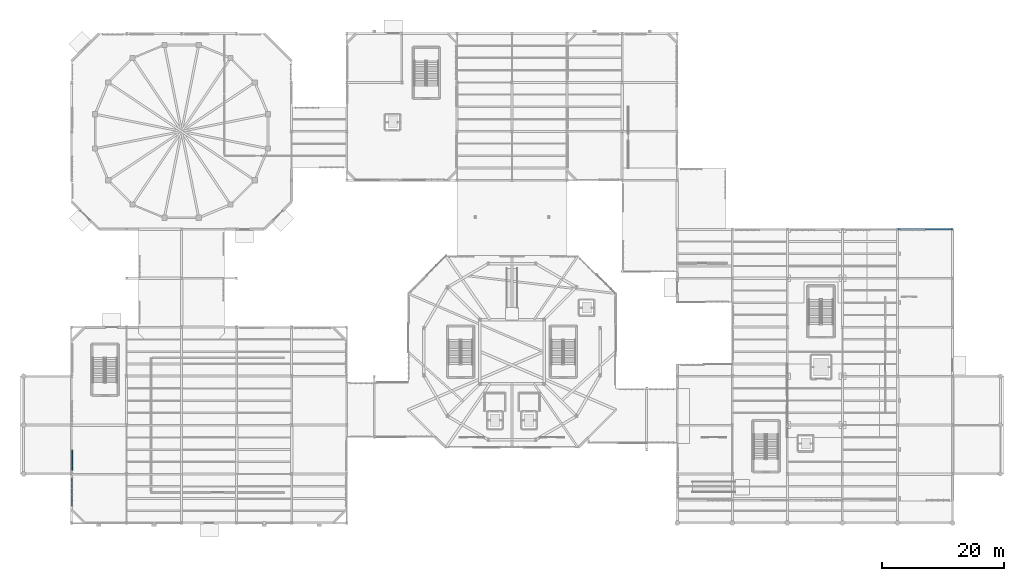
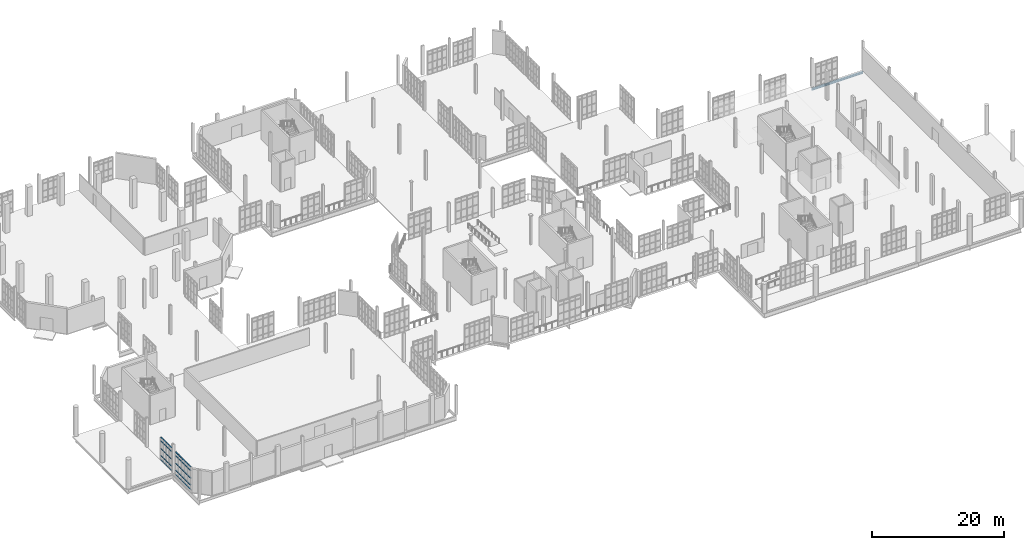
# One storey, part 111 of 189: 45 members, 1 beam, 2 elements without a shape of their own.
"""IFC4 building model written with IfcOpenShell, lengths in metres."""

from ifc_helpers import new_model, si_unit, direction, frame, origin, origin_2d, place, context, subcontext, project, spatial, hollow_rectangle, i_section, extrude, material, layer, layer_set, material_profile, profile_set, type_object, element, aggregate, save


model = new_model("IFC4")

# Units and contexts
model_context = context("Model", 3, precision=1e-05, world=origin(), true_north=direction((0.0, 1.0)))
body_context = subcontext(model_context, "Body", "Model", "MODEL_VIEW")
ifc_project = project(units=[si_unit("LENGTHUNIT", "METRE"), si_unit("AREAUNIT", "SQUARE_METRE"), si_unit("VOLUMEUNIT", "CUBIC_METRE"), si_unit("PLANEANGLEUNIT", "RADIAN"), si_unit("MASSUNIT", "GRAM", prefix="KILO"), si_unit("THERMODYNAMICTEMPERATUREUNIT", "KELVIN"), si_unit("POWERUNIT", "WATT")], contexts=[model_context])

# Site, building, storey
site_placement = place(None, origin())
site = spatial("IfcSite", under=ifc_project, at=site_placement, CompositionType="ELEMENT")
building_placement = place(site_placement, origin())
building = spatial("IfcBuilding", under=site, at=building_placement, Name="Zelmaris Science Centre", CompositionType="ELEMENT")
storey_placement = place(building_placement, origin())
storey = spatial("IfcBuildingStorey", under=building, at=storey_placement, Name="L00", CompositionType="ELEMENT", Elevation=0.0)

# Curtain wall, members
ifc_material_1 = material(Name="Anodised architectural aluminium 6063-T6", Category="aluminium")
ifc_layer_1 = layer(ifc_material_1, 0.199951171875, Name="Anodised architectural aluminium 6063-T6")
ifc_layer_set_1 = layer_set([ifc_layer_1], Name="Anodised architectural aluminium 6063-T6")
curtain_wall_type_1 = type_object("IfcCurtainWallType", Name="Curtain Wall CW-02", PredefinedType="USERDEFINED", material=ifc_layer_set_1)
curtain_wall_1_placement = place(storey_placement, origin())
curtain_wall_1 = element("IfcCurtainWall", 1, at=curtain_wall_1_placement, inside=storey, type_object=curtain_wall_type_1, Name="L00 Unitised curtain wall 2", ObjectType="GLAZED CURTAIN WALL", PredefinedType="USERDEFINED")
ifc_material_profile_1 = material_profile(ifc_material_1, hollow_rectangle(XDim=0.074951171875, YDim=0.159912109375, WallThickness=0.00390625, at=origin_2d()), Name="ALU-TRN-75X160")
ifc_profile_set_1 = profile_set([ifc_material_profile_1], Name="Anodised architectural aluminium 6063-T6")
member_type_1 = type_object("IfcMemberType", Name="ALU-TRN-75X160", PredefinedType="USERDEFINED", material=ifc_profile_set_1)
member_1_placement = place(storey_placement, frame((9.1201171875, 16.60693359375, 0.0185546875), z_axis=(0.0, 1.0, 0.0), x_axis=(0.0, 0.0, 1.0)))
member_1 = element("IfcMember", 2, at=member_1_placement, type_object=member_type_1, Name="CW-02 transom 1.1", ObjectType="TRANSOM", PredefinedType="USERDEFINED", context=body_context, shape_type="SweptSolid", body=[
    extrude(hollow_rectangle(XDim=0.074951171875, YDim=0.159912109375, WallThickness=0.00390625, at=origin_2d()), origin(), (0.0, 0.0, 1.0), 0.74951171875),
])
member_2_placement = place(storey_placement, frame((9.1201171875, 16.60693359375, 0.8349609375), z_axis=(0.0, 1.0, 0.0), x_axis=(0.0, 0.0, 1.0)))
member_2 = element("IfcMember", 3, at=member_2_placement, type_object=member_type_1, Name="CW-02 transom 1.2", ObjectType="TRANSOM", PredefinedType="USERDEFINED", context=body_context, shape_type="SweptSolid", body=[
    extrude(hollow_rectangle(XDim=0.074951171875, YDim=0.159912109375, WallThickness=0.00390625, at=origin_2d()), origin(), (0.0, 0.0, 1.0), 0.74951171875),
])
member_3_placement = place(storey_placement, frame((9.1201171875, 16.60693359375, 2.109619140625), z_axis=(0.0, 1.0, 0.0), x_axis=(0.0, 0.0, 1.0)))
member_3 = element("IfcMember", 4, at=member_3_placement, type_object=member_type_1, Name="CW-02 transom 1.3", ObjectType="TRANSOM", PredefinedType="USERDEFINED", context=body_context, shape_type="SweptSolid", body=[
    extrude(hollow_rectangle(XDim=0.074951171875, YDim=0.159912109375, WallThickness=0.00390625, at=origin_2d()), origin(), (0.0, 0.0, 1.0), 0.74951171875),
])
member_4_placement = place(storey_placement, frame((9.1201171875, 16.60693359375, 3.533935546875), z_axis=(0.0, 1.0, 0.0), x_axis=(0.0, 0.0, 1.0)))
member_4 = element("IfcMember", 5, at=member_4_placement, type_object=member_type_1, Name="CW-02 transom 1.4", ObjectType="TRANSOM", PredefinedType="USERDEFINED", context=body_context, shape_type="SweptSolid", body=[
    extrude(hollow_rectangle(XDim=0.074951171875, YDim=0.159912109375, WallThickness=0.00390625, at=origin_2d()), origin(), (0.0, 0.0, 1.0), 0.74951171875),
])
member_5_placement = place(storey_placement, frame((9.1201171875, 16.60693359375, 4.200439453125), z_axis=(0.0, 1.0, 0.0), x_axis=(0.0, 0.0, 1.0)))
member_5 = element("IfcMember", 6, at=member_5_placement, type_object=member_type_1, Name="CW-02 transom 1.5", ObjectType="TRANSOM", PredefinedType="USERDEFINED", context=body_context, shape_type="SweptSolid", body=[
    extrude(hollow_rectangle(XDim=0.074951171875, YDim=0.159912109375, WallThickness=0.00390625, at=origin_2d()), origin(), (0.0, 0.0, 1.0), 0.74951171875),
])
member_6_placement = place(storey_placement, frame((9.1201171875, 17.423583984375, 0.0185546875), z_axis=(0.0, 1.0, 0.0), x_axis=(0.0, 0.0, 1.0)))
member_6 = element("IfcMember", 7, at=member_6_placement, type_object=member_type_1, Name="CW-02 transom 2.1", ObjectType="TRANSOM", PredefinedType="USERDEFINED", context=body_context, shape_type="SweptSolid", body=[
    extrude(hollow_rectangle(XDim=0.074951171875, YDim=0.159912109375, WallThickness=0.00390625, at=origin_2d()), origin(), (0.0, 0.0, 1.0), 0.782958984375),
])
member_7_placement = place(storey_placement, frame((9.1201171875, 17.423583984375, 0.8349609375), z_axis=(0.0, 1.0, 0.0), x_axis=(0.0, 0.0, 1.0)))
member_7 = element("IfcMember", 8, at=member_7_placement, type_object=member_type_1, Name="CW-02 transom 2.2", ObjectType="TRANSOM", PredefinedType="USERDEFINED", context=body_context, shape_type="SweptSolid", body=[
    extrude(hollow_rectangle(XDim=0.074951171875, YDim=0.159912109375, WallThickness=0.00390625, at=origin_2d()), origin(), (0.0, 0.0, 1.0), 0.782958984375),
])
member_8_placement = place(storey_placement, frame((9.1201171875, 17.423583984375, 2.109619140625), z_axis=(0.0, 1.0, 0.0), x_axis=(0.0, 0.0, 1.0)))
member_8 = element("IfcMember", 9, at=member_8_placement, type_object=member_type_1, Name="CW-02 transom 2.3", ObjectType="TRANSOM", PredefinedType="USERDEFINED", context=body_context, shape_type="SweptSolid", body=[
    extrude(hollow_rectangle(XDim=0.074951171875, YDim=0.159912109375, WallThickness=0.00390625, at=origin_2d()), origin(), (0.0, 0.0, 1.0), 0.782958984375),
])
member_9_placement = place(storey_placement, frame((9.1201171875, 17.423583984375, 3.533935546875), z_axis=(0.0, 1.0, 0.0), x_axis=(0.0, 0.0, 1.0)))
member_9 = element("IfcMember", 10, at=member_9_placement, type_object=member_type_1, Name="CW-02 transom 2.4", ObjectType="TRANSOM", PredefinedType="USERDEFINED", context=body_context, shape_type="SweptSolid", body=[
    extrude(hollow_rectangle(XDim=0.074951171875, YDim=0.159912109375, WallThickness=0.00390625, at=origin_2d()), origin(), (0.0, 0.0, 1.0), 0.782958984375),
])
member_10_placement = place(storey_placement, frame((9.1201171875, 17.423583984375, 4.200439453125), z_axis=(0.0, 1.0, 0.0), x_axis=(0.0, 0.0, 1.0)))
member_10 = element("IfcMember", 11, at=member_10_placement, type_object=member_type_1, Name="CW-02 transom 2.5", ObjectType="TRANSOM", PredefinedType="USERDEFINED", context=body_context, shape_type="SweptSolid", body=[
    extrude(hollow_rectangle(XDim=0.074951171875, YDim=0.159912109375, WallThickness=0.00390625, at=origin_2d()), origin(), (0.0, 0.0, 1.0), 0.782958984375),
])
member_11_placement = place(storey_placement, frame((9.1201171875, 18.2734375, 0.0185546875), z_axis=(0.0, 1.0, 0.0), x_axis=(0.0, 0.0, 1.0)))
member_11 = element("IfcMember", 12, at=member_11_placement, type_object=member_type_1, Name="CW-02 transom 3.1", ObjectType="TRANSOM", PredefinedType="USERDEFINED", context=body_context, shape_type="SweptSolid", body=[
    extrude(hollow_rectangle(XDim=0.074951171875, YDim=0.159912109375, WallThickness=0.00390625, at=origin_2d()), origin(), (0.0, 0.0, 1.0), 0.782958984375),
])
member_12_placement = place(storey_placement, frame((9.1201171875, 18.2734375, 0.8349609375), z_axis=(0.0, 1.0, 0.0), x_axis=(0.0, 0.0, 1.0)))
member_12 = element("IfcMember", 13, at=member_12_placement, type_object=member_type_1, Name="CW-02 transom 3.2", ObjectType="TRANSOM", PredefinedType="USERDEFINED", context=body_context, shape_type="SweptSolid", body=[
    extrude(hollow_rectangle(XDim=0.074951171875, YDim=0.159912109375, WallThickness=0.00390625, at=origin_2d()), origin(), (0.0, 0.0, 1.0), 0.782958984375),
])
member_13_placement = place(storey_placement, frame((9.1201171875, 18.2734375, 2.109619140625), z_axis=(0.0, 1.0, 0.0), x_axis=(0.0, 0.0, 1.0)))
member_13 = element("IfcMember", 14, at=member_13_placement, type_object=member_type_1, Name="CW-02 transom 3.3", ObjectType="TRANSOM", PredefinedType="USERDEFINED", context=body_context, shape_type="SweptSolid", body=[
    extrude(hollow_rectangle(XDim=0.074951171875, YDim=0.159912109375, WallThickness=0.00390625, at=origin_2d()), origin(), (0.0, 0.0, 1.0), 0.782958984375),
])
member_14_placement = place(storey_placement, frame((9.1201171875, 18.2734375, 3.533935546875), z_axis=(0.0, 1.0, 0.0), x_axis=(0.0, 0.0, 1.0)))
member_14 = element("IfcMember", 15, at=member_14_placement, type_object=member_type_1, Name="CW-02 transom 3.4", ObjectType="TRANSOM", PredefinedType="USERDEFINED", context=body_context, shape_type="SweptSolid", body=[
    extrude(hollow_rectangle(XDim=0.074951171875, YDim=0.159912109375, WallThickness=0.00390625, at=origin_2d()), origin(), (0.0, 0.0, 1.0), 0.782958984375),
])
member_15_placement = place(storey_placement, frame((9.1201171875, 18.2734375, 4.200439453125), z_axis=(0.0, 1.0, 0.0), x_axis=(0.0, 0.0, 1.0)))
member_15 = element("IfcMember", 16, at=member_15_placement, type_object=member_type_1, Name="CW-02 transom 3.5", ObjectType="TRANSOM", PredefinedType="USERDEFINED", context=body_context, shape_type="SweptSolid", body=[
    extrude(hollow_rectangle(XDim=0.074951171875, YDim=0.159912109375, WallThickness=0.00390625, at=origin_2d()), origin(), (0.0, 0.0, 1.0), 0.782958984375),
])
member_16_placement = place(storey_placement, frame((9.1201171875, 19.12353515625, 0.0185546875), z_axis=(0.0, 1.0, 0.0), x_axis=(0.0, 0.0, 1.0)))
member_16 = element("IfcMember", 17, at=member_16_placement, type_object=member_type_1, Name="CW-02 transom 4.1", ObjectType="TRANSOM", PredefinedType="USERDEFINED", context=body_context, shape_type="SweptSolid", body=[
    extrude(hollow_rectangle(XDim=0.074951171875, YDim=0.159912109375, WallThickness=0.00390625, at=origin_2d()), origin(), (0.0, 0.0, 1.0), 0.74951171875),
])
member_17_placement = place(storey_placement, frame((9.1201171875, 19.12353515625, 0.8349609375), z_axis=(0.0, 1.0, 0.0), x_axis=(0.0, 0.0, 1.0)))
member_17 = element("IfcMember", 18, at=member_17_placement, type_object=member_type_1, Name="CW-02 transom 4.2", ObjectType="TRANSOM", PredefinedType="USERDEFINED", context=body_context, shape_type="SweptSolid", body=[
    extrude(hollow_rectangle(XDim=0.074951171875, YDim=0.159912109375, WallThickness=0.00390625, at=origin_2d()), origin(), (0.0, 0.0, 1.0), 0.74951171875),
])
member_18_placement = place(storey_placement, frame((9.1201171875, 19.12353515625, 2.109619140625), z_axis=(0.0, 1.0, 0.0), x_axis=(0.0, 0.0, 1.0)))
member_18 = element("IfcMember", 19, at=member_18_placement, type_object=member_type_1, Name="CW-02 transom 4.3", ObjectType="TRANSOM", PredefinedType="USERDEFINED", context=body_context, shape_type="SweptSolid", body=[
    extrude(hollow_rectangle(XDim=0.074951171875, YDim=0.159912109375, WallThickness=0.00390625, at=origin_2d()), origin(), (0.0, 0.0, 1.0), 0.74951171875),
])
member_19_placement = place(storey_placement, frame((9.1201171875, 19.12353515625, 3.533935546875), z_axis=(0.0, 1.0, 0.0), x_axis=(0.0, 0.0, 1.0)))
member_19 = element("IfcMember", 20, at=member_19_placement, type_object=member_type_1, Name="CW-02 transom 4.4", ObjectType="TRANSOM", PredefinedType="USERDEFINED", context=body_context, shape_type="SweptSolid", body=[
    extrude(hollow_rectangle(XDim=0.074951171875, YDim=0.159912109375, WallThickness=0.00390625, at=origin_2d()), origin(), (0.0, 0.0, 1.0), 0.74951171875),
])
member_20_placement = place(storey_placement, frame((9.1201171875, 19.12353515625, 4.200439453125), z_axis=(0.0, 1.0, 0.0), x_axis=(0.0, 0.0, 1.0)))
member_20 = element("IfcMember", 21, at=member_20_placement, type_object=member_type_1, Name="CW-02 transom 4.5", ObjectType="TRANSOM", PredefinedType="USERDEFINED", context=body_context, shape_type="SweptSolid", body=[
    extrude(hollow_rectangle(XDim=0.074951171875, YDim=0.159912109375, WallThickness=0.00390625, at=origin_2d()), origin(), (0.0, 0.0, 1.0), 0.74951171875),
])
aggregate(curtain_wall_1, [member_1, member_2, member_3, member_4, member_5, member_6, member_7, member_8, member_9, member_10, member_11, member_12, member_13, member_14, member_15, member_16, member_17, member_18, member_19, member_20])

ifc_layer_2 = layer(ifc_material_1, 0.18994140625, Name="Anodised architectural aluminium 6063-T6")
ifc_layer_set_2 = layer_set([ifc_layer_2], Name="Anodised architectural aluminium 6063-T6")
curtain_wall_type_2 = type_object("IfcCurtainWallType", Name="Curtain Wall CW-01", PredefinedType="USERDEFINED", material=ifc_layer_set_2)
curtain_wall_2_placement = place(storey_placement, origin())
curtain_wall_2 = element("IfcCurtainWall", 22, at=curtain_wall_2_placement, inside=storey, type_object=curtain_wall_type_2, Name="L00 Unitised curtain wall 1", ObjectType="GLAZED CURTAIN WALL", PredefinedType="USERDEFINED")
ifc_material_profile_2 = material_profile(ifc_material_1, hollow_rectangle(XDim=0.080078125, YDim=0.18994140625, WallThickness=0.00439453125, at=origin_2d()), Name="ALU-TRN-80X190")
ifc_profile_set_2 = profile_set([ifc_material_profile_2], Name="Anodised architectural aluminium 6063-T6")
member_type_2 = type_object("IfcMemberType", Name="ALU-TRN-80X190", PredefinedType="USERDEFINED", material=ifc_profile_set_2)
member_21_placement = place(storey_placement, frame((9.1201171875, 10.81201171875, 0.02099609375), z_axis=(0.0, 1.0, 0.0), x_axis=(0.0, 0.0, 1.0)))
member_21 = element("IfcMember", 23, at=member_21_placement, type_object=member_type_2, Name="CW-01 transom 1.1", ObjectType="TRANSOM", PredefinedType="USERDEFINED", context=body_context, shape_type="SweptSolid", body=[
    extrude(hollow_rectangle(XDim=0.080078125, YDim=0.18994140625, WallThickness=0.00439453125, at=origin_2d()), origin(), (0.0, 0.0, 1.0), 0.8359375),
])
member_22_placement = place(storey_placement, frame((9.1201171875, 10.81201171875, 0.8349609375), z_axis=(0.0, 1.0, 0.0), x_axis=(0.0, 0.0, 1.0)))
member_22 = element("IfcMember", 24, at=member_22_placement, type_object=member_type_2, Name="CW-01 transom 1.2", ObjectType="TRANSOM", PredefinedType="USERDEFINED", context=body_context, shape_type="SweptSolid", body=[
    extrude(hollow_rectangle(XDim=0.080078125, YDim=0.18994140625, WallThickness=0.00439453125, at=origin_2d()), origin(), (0.0, 0.0, 1.0), 0.8359375),
])
member_23_placement = place(storey_placement, frame((9.1201171875, 10.81201171875, 2.109619140625), z_axis=(0.0, 1.0, 0.0), x_axis=(0.0, 0.0, 1.0)))
member_23 = element("IfcMember", 25, at=member_23_placement, type_object=member_type_2, Name="CW-01 transom 1.3", ObjectType="TRANSOM", PredefinedType="USERDEFINED", context=body_context, shape_type="SweptSolid", body=[
    extrude(hollow_rectangle(XDim=0.080078125, YDim=0.18994140625, WallThickness=0.00439453125, at=origin_2d()), origin(), (0.0, 0.0, 1.0), 0.8359375),
])
member_24_placement = place(storey_placement, frame((9.1201171875, 10.81201171875, 3.533935546875), z_axis=(0.0, 1.0, 0.0), x_axis=(0.0, 0.0, 1.0)))
member_24 = element("IfcMember", 26, at=member_24_placement, type_object=member_type_2, Name="CW-01 transom 1.4", ObjectType="TRANSOM", PredefinedType="USERDEFINED", context=body_context, shape_type="SweptSolid", body=[
    extrude(hollow_rectangle(XDim=0.080078125, YDim=0.18994140625, WallThickness=0.00439453125, at=origin_2d()), origin(), (0.0, 0.0, 1.0), 0.8359375),
])
member_25_placement = place(storey_placement, frame((9.1201171875, 10.81201171875, 4.197998046875), z_axis=(0.0, 1.0, 0.0), x_axis=(0.0, 0.0, 1.0)))
member_25 = element("IfcMember", 27, at=member_25_placement, type_object=member_type_2, Name="CW-01 transom 1.5", ObjectType="TRANSOM", PredefinedType="USERDEFINED", context=body_context, shape_type="SweptSolid", body=[
    extrude(hollow_rectangle(XDim=0.080078125, YDim=0.18994140625, WallThickness=0.00439453125, at=origin_2d()), origin(), (0.0, 0.0, 1.0), 0.8359375),
])
member_26_placement = place(storey_placement, frame((9.1201171875, 11.719970703125, 0.02099609375), z_axis=(0.0, 1.0, 0.0), x_axis=(0.0, 0.0, 1.0)))
member_26 = element("IfcMember", 28, at=member_26_placement, type_object=member_type_2, Name="CW-01 transom 2.1", ObjectType="TRANSOM", PredefinedType="USERDEFINED", context=body_context, shape_type="SweptSolid", body=[
    extrude(hollow_rectangle(XDim=0.080078125, YDim=0.18994140625, WallThickness=0.00439453125, at=origin_2d()), origin(), (0.0, 0.0, 1.0), 0.8720703125),
])
member_27_placement = place(storey_placement, frame((9.1201171875, 11.719970703125, 0.8349609375), z_axis=(0.0, 1.0, 0.0), x_axis=(0.0, 0.0, 1.0)))
member_27 = element("IfcMember", 29, at=member_27_placement, type_object=member_type_2, Name="CW-01 transom 2.2", ObjectType="TRANSOM", PredefinedType="USERDEFINED", context=body_context, shape_type="SweptSolid", body=[
    extrude(hollow_rectangle(XDim=0.080078125, YDim=0.18994140625, WallThickness=0.00439453125, at=origin_2d()), origin(), (0.0, 0.0, 1.0), 0.8720703125),
])
member_28_placement = place(storey_placement, frame((9.1201171875, 11.719970703125, 2.109619140625), z_axis=(0.0, 1.0, 0.0), x_axis=(0.0, 0.0, 1.0)))
member_28 = element("IfcMember", 30, at=member_28_placement, type_object=member_type_2, Name="CW-01 transom 2.3", ObjectType="TRANSOM", PredefinedType="USERDEFINED", context=body_context, shape_type="SweptSolid", body=[
    extrude(hollow_rectangle(XDim=0.080078125, YDim=0.18994140625, WallThickness=0.00439453125, at=origin_2d()), origin(), (0.0, 0.0, 1.0), 0.8720703125),
])
member_29_placement = place(storey_placement, frame((9.1201171875, 11.719970703125, 3.533935546875), z_axis=(0.0, 1.0, 0.0), x_axis=(0.0, 0.0, 1.0)))
member_29 = element("IfcMember", 31, at=member_29_placement, type_object=member_type_2, Name="CW-01 transom 2.4", ObjectType="TRANSOM", PredefinedType="USERDEFINED", context=body_context, shape_type="SweptSolid", body=[
    extrude(hollow_rectangle(XDim=0.080078125, YDim=0.18994140625, WallThickness=0.00439453125, at=origin_2d()), origin(), (0.0, 0.0, 1.0), 0.8720703125),
])
member_30_placement = place(storey_placement, frame((9.1201171875, 11.719970703125, 4.197998046875), z_axis=(0.0, 1.0, 0.0), x_axis=(0.0, 0.0, 1.0)))
member_30 = element("IfcMember", 32, at=member_30_placement, type_object=member_type_2, Name="CW-01 transom 2.5", ObjectType="TRANSOM", PredefinedType="USERDEFINED", context=body_context, shape_type="SweptSolid", body=[
    extrude(hollow_rectangle(XDim=0.080078125, YDim=0.18994140625, WallThickness=0.00439453125, at=origin_2d()), origin(), (0.0, 0.0, 1.0), 0.8720703125),
])
member_31_placement = place(storey_placement, frame((9.1201171875, 12.6640625, 0.02099609375), z_axis=(0.0, 1.0, 0.0), x_axis=(0.0, 0.0, 1.0)))
member_31 = element("IfcMember", 33, at=member_31_placement, type_object=member_type_2, Name="CW-01 transom 3.1", ObjectType="TRANSOM", PredefinedType="USERDEFINED", context=body_context, shape_type="SweptSolid", body=[
    extrude(hollow_rectangle(XDim=0.080078125, YDim=0.18994140625, WallThickness=0.00439453125, at=origin_2d()), origin(), (0.0, 0.0, 1.0), 0.871826171875),
])
member_32_placement = place(storey_placement, frame((9.1201171875, 12.6640625, 0.8349609375), z_axis=(0.0, 1.0, 0.0), x_axis=(0.0, 0.0, 1.0)))
member_32 = element("IfcMember", 34, at=member_32_placement, type_object=member_type_2, Name="CW-01 transom 3.2", ObjectType="TRANSOM", PredefinedType="USERDEFINED", context=body_context, shape_type="SweptSolid", body=[
    extrude(hollow_rectangle(XDim=0.080078125, YDim=0.18994140625, WallThickness=0.00439453125, at=origin_2d()), origin(), (0.0, 0.0, 1.0), 0.871826171875),
])
member_33_placement = place(storey_placement, frame((9.1201171875, 12.6640625, 2.109619140625), z_axis=(0.0, 1.0, 0.0), x_axis=(0.0, 0.0, 1.0)))
member_33 = element("IfcMember", 35, at=member_33_placement, type_object=member_type_2, Name="CW-01 transom 3.3", ObjectType="TRANSOM", PredefinedType="USERDEFINED", context=body_context, shape_type="SweptSolid", body=[
    extrude(hollow_rectangle(XDim=0.080078125, YDim=0.18994140625, WallThickness=0.00439453125, at=origin_2d()), origin(), (0.0, 0.0, 1.0), 0.871826171875),
])
member_34_placement = place(storey_placement, frame((9.1201171875, 12.6640625, 3.533935546875), z_axis=(0.0, 1.0, 0.0), x_axis=(0.0, 0.0, 1.0)))
member_34 = element("IfcMember", 36, at=member_34_placement, type_object=member_type_2, Name="CW-01 transom 3.4", ObjectType="TRANSOM", PredefinedType="USERDEFINED", context=body_context, shape_type="SweptSolid", body=[
    extrude(hollow_rectangle(XDim=0.080078125, YDim=0.18994140625, WallThickness=0.00439453125, at=origin_2d()), origin(), (0.0, 0.0, 1.0), 0.871826171875),
])
member_35_placement = place(storey_placement, frame((9.1201171875, 12.6640625, 4.197998046875), z_axis=(0.0, 1.0, 0.0), x_axis=(0.0, 0.0, 1.0)))
member_35 = element("IfcMember", 37, at=member_35_placement, type_object=member_type_2, Name="CW-01 transom 3.5", ObjectType="TRANSOM", PredefinedType="USERDEFINED", context=body_context, shape_type="SweptSolid", body=[
    extrude(hollow_rectangle(XDim=0.080078125, YDim=0.18994140625, WallThickness=0.00439453125, at=origin_2d()), origin(), (0.0, 0.0, 1.0), 0.871826171875),
])
member_36_placement = place(storey_placement, frame((9.1201171875, 13.60791015625, 0.02099609375), z_axis=(0.0, 1.0, 0.0), x_axis=(0.0, 0.0, 1.0)))
member_36 = element("IfcMember", 38, at=member_36_placement, type_object=member_type_2, Name="CW-01 transom 4.1", ObjectType="TRANSOM", PredefinedType="USERDEFINED", context=body_context, shape_type="SweptSolid", body=[
    extrude(hollow_rectangle(XDim=0.080078125, YDim=0.18994140625, WallThickness=0.00439453125, at=origin_2d()), origin(), (0.0, 0.0, 1.0), 0.8720703125),
])
member_37_placement = place(storey_placement, frame((9.1201171875, 13.60791015625, 0.8349609375), z_axis=(0.0, 1.0, 0.0), x_axis=(0.0, 0.0, 1.0)))
member_37 = element("IfcMember", 39, at=member_37_placement, type_object=member_type_2, Name="CW-01 transom 4.2", ObjectType="TRANSOM", PredefinedType="USERDEFINED", context=body_context, shape_type="SweptSolid", body=[
    extrude(hollow_rectangle(XDim=0.080078125, YDim=0.18994140625, WallThickness=0.00439453125, at=origin_2d()), origin(), (0.0, 0.0, 1.0), 0.8720703125),
])
member_38_placement = place(storey_placement, frame((9.1201171875, 13.60791015625, 2.109619140625), z_axis=(0.0, 1.0, 0.0), x_axis=(0.0, 0.0, 1.0)))
member_38 = element("IfcMember", 40, at=member_38_placement, type_object=member_type_2, Name="CW-01 transom 4.3", ObjectType="TRANSOM", PredefinedType="USERDEFINED", context=body_context, shape_type="SweptSolid", body=[
    extrude(hollow_rectangle(XDim=0.080078125, YDim=0.18994140625, WallThickness=0.00439453125, at=origin_2d()), origin(), (0.0, 0.0, 1.0), 0.8720703125),
])
member_39_placement = place(storey_placement, frame((9.1201171875, 13.60791015625, 3.533935546875), z_axis=(0.0, 1.0, 0.0), x_axis=(0.0, 0.0, 1.0)))
member_39 = element("IfcMember", 41, at=member_39_placement, type_object=member_type_2, Name="CW-01 transom 4.4", ObjectType="TRANSOM", PredefinedType="USERDEFINED", context=body_context, shape_type="SweptSolid", body=[
    extrude(hollow_rectangle(XDim=0.080078125, YDim=0.18994140625, WallThickness=0.00439453125, at=origin_2d()), origin(), (0.0, 0.0, 1.0), 0.8720703125),
])
member_40_placement = place(storey_placement, frame((9.1201171875, 13.60791015625, 4.197998046875), z_axis=(0.0, 1.0, 0.0), x_axis=(0.0, 0.0, 1.0)))
member_40 = element("IfcMember", 42, at=member_40_placement, type_object=member_type_2, Name="CW-01 transom 4.5", ObjectType="TRANSOM", PredefinedType="USERDEFINED", context=body_context, shape_type="SweptSolid", body=[
    extrude(hollow_rectangle(XDim=0.080078125, YDim=0.18994140625, WallThickness=0.00439453125, at=origin_2d()), origin(), (0.0, 0.0, 1.0), 0.8720703125),
])
member_41_placement = place(storey_placement, frame((9.1201171875, 14.552001953125, 0.02099609375), z_axis=(0.0, 1.0, 0.0), x_axis=(0.0, 0.0, 1.0)))
member_41 = element("IfcMember", 43, at=member_41_placement, type_object=member_type_2, Name="CW-01 transom 5.1", ObjectType="TRANSOM", PredefinedType="USERDEFINED", context=body_context, shape_type="SweptSolid", body=[
    extrude(hollow_rectangle(XDim=0.080078125, YDim=0.18994140625, WallThickness=0.00439453125, at=origin_2d()), origin(), (0.0, 0.0, 1.0), 0.8359375),
])
member_42_placement = place(storey_placement, frame((9.1201171875, 14.552001953125, 0.8349609375), z_axis=(0.0, 1.0, 0.0), x_axis=(0.0, 0.0, 1.0)))
member_42 = element("IfcMember", 44, at=member_42_placement, type_object=member_type_2, Name="CW-01 transom 5.2", ObjectType="TRANSOM", PredefinedType="USERDEFINED", context=body_context, shape_type="SweptSolid", body=[
    extrude(hollow_rectangle(XDim=0.080078125, YDim=0.18994140625, WallThickness=0.00439453125, at=origin_2d()), origin(), (0.0, 0.0, 1.0), 0.8359375),
])
member_43_placement = place(storey_placement, frame((9.1201171875, 14.552001953125, 2.109619140625), z_axis=(0.0, 1.0, 0.0), x_axis=(0.0, 0.0, 1.0)))
member_43 = element("IfcMember", 45, at=member_43_placement, type_object=member_type_2, Name="CW-01 transom 5.3", ObjectType="TRANSOM", PredefinedType="USERDEFINED", context=body_context, shape_type="SweptSolid", body=[
    extrude(hollow_rectangle(XDim=0.080078125, YDim=0.18994140625, WallThickness=0.00439453125, at=origin_2d()), origin(), (0.0, 0.0, 1.0), 0.8359375),
])
member_44_placement = place(storey_placement, frame((9.1201171875, 14.552001953125, 3.533935546875), z_axis=(0.0, 1.0, 0.0), x_axis=(0.0, 0.0, 1.0)))
member_44 = element("IfcMember", 46, at=member_44_placement, type_object=member_type_2, Name="CW-01 transom 5.4", ObjectType="TRANSOM", PredefinedType="USERDEFINED", context=body_context, shape_type="SweptSolid", body=[
    extrude(hollow_rectangle(XDim=0.080078125, YDim=0.18994140625, WallThickness=0.00439453125, at=origin_2d()), origin(), (0.0, 0.0, 1.0), 0.8359375),
])
member_45_placement = place(storey_placement, frame((9.1201171875, 14.552001953125, 4.197998046875), z_axis=(0.0, 1.0, 0.0), x_axis=(0.0, 0.0, 1.0)))
member_45 = element("IfcMember", 47, at=member_45_placement, type_object=member_type_2, Name="CW-01 transom 5.5", ObjectType="TRANSOM", PredefinedType="USERDEFINED", context=body_context, shape_type="SweptSolid", body=[
    extrude(hollow_rectangle(XDim=0.080078125, YDim=0.18994140625, WallThickness=0.00439453125, at=origin_2d()), origin(), (0.0, 0.0, 1.0), 0.8359375),
])
aggregate(curtain_wall_2, [member_21, member_22, member_23, member_24, member_25, member_26, member_27, member_28, member_29, member_30, member_31, member_32, member_33, member_34, member_35, member_36, member_37, member_38, member_39, member_40, member_41, member_42, member_43, member_44, member_45])

# Beam
ifc_material_2 = material(Name="Steel ASTM A992 Grade 50", Category="steel")
ifc_material_profile_3 = material_profile(ifc_material_2, i_section(OverallWidth=0.25390625, OverallDepth=0.35595703125, WebThickness=0.010498046875, FlangeThickness=0.018310546875, FilletRadius=0.014892578125, at=origin_2d()), Name="W14X68")
ifc_profile_set_3 = profile_set([ifc_material_profile_3], Name="Steel ASTM A992 Grade 50")
beam_type = type_object("IfcBeamType", Name="Beam G-41 W14X68", PredefinedType="BEAM", material=ifc_profile_set_3)
beam_placement = place(storey_placement, frame((144.0, 56.0, -0.468017578125), z_axis=(1.0, 0.0, 0.0), x_axis=(0.0, 1.0, 0.0)))
element("IfcBeam", 48, at=beam_placement, inside=storey, type_object=beam_type, Name="L00 East-west girder 154", PredefinedType="BEAM", context=body_context, shape_type="SweptSolid", body=[
    extrude(i_section(OverallWidth=0.25390625, OverallDepth=0.35595703125, WebThickness=0.010498046875, FlangeThickness=0.018310546875, FilletRadius=0.014892578125, at=origin_2d()), origin(), (0.0, 0.0, 1.0), 9.0),
])

save(model, "model.ifc")
